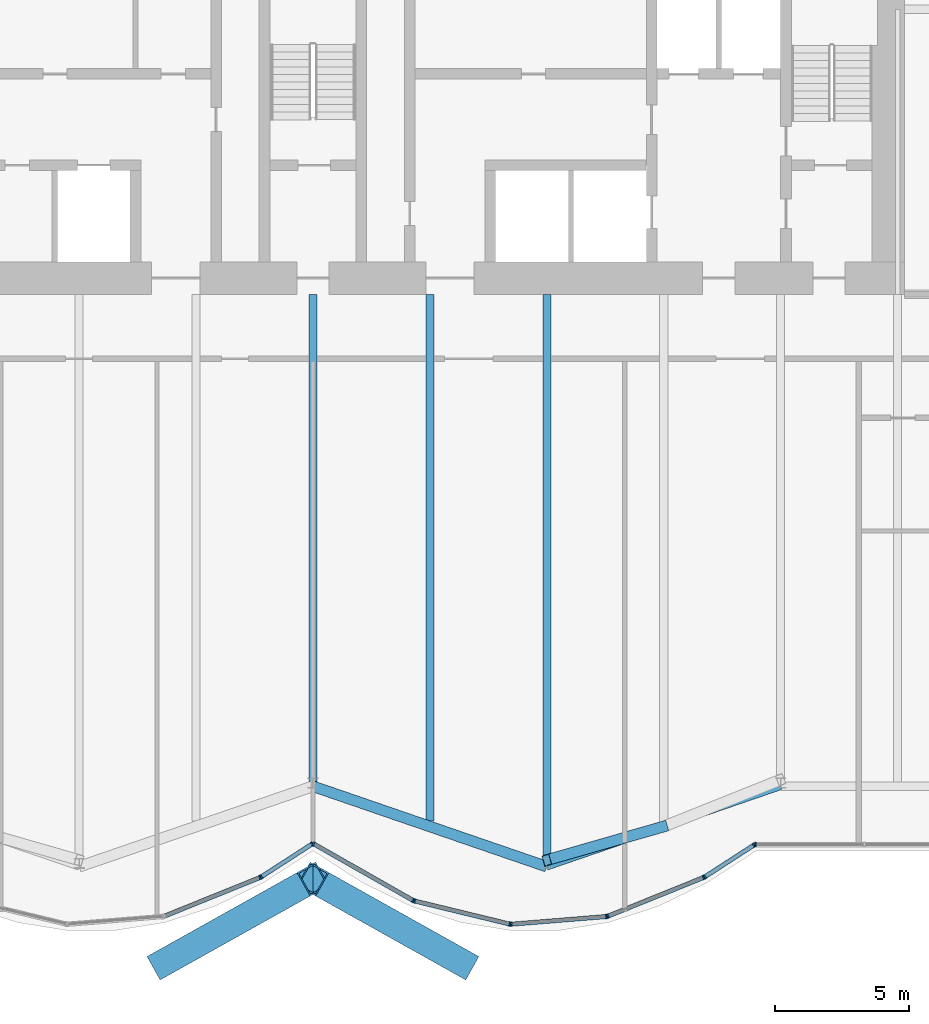
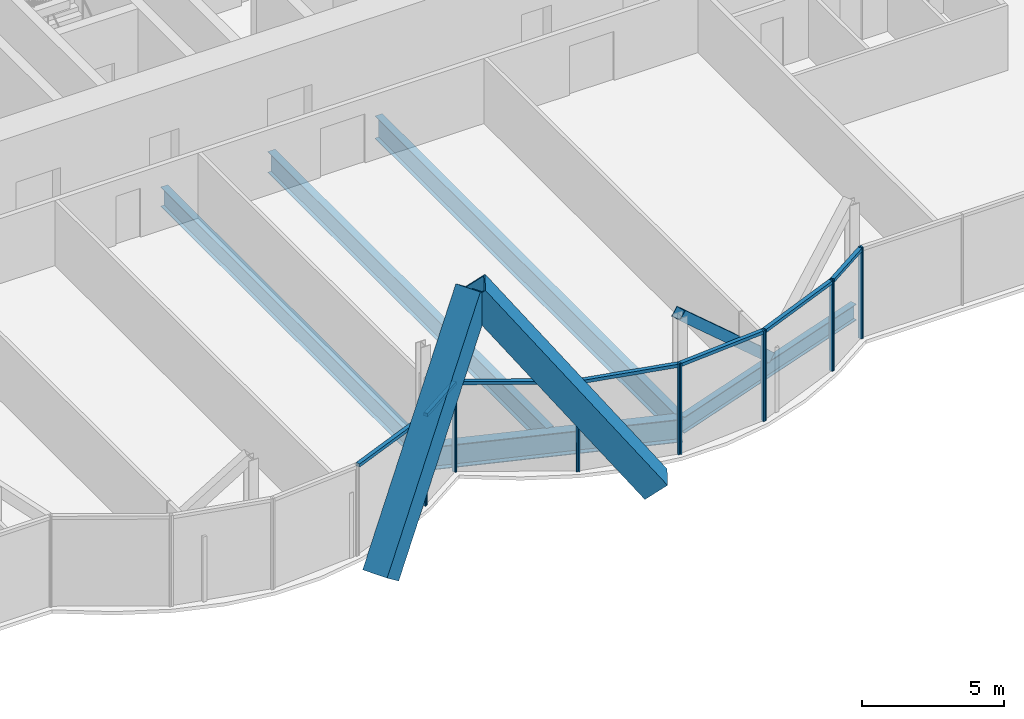
# One storey, part 8 of 21: 24 members, 5 beams, 3 elements without a shape of their own.
"""IFC4 building model written with IfcOpenShell, lengths in metres."""

from ifc_helpers import new_model, si_unit, direction, frame, origin, origin_2d, place, context, subcontext, project, spatial, rectangle, hollow_rectangle, i_section, extrude, material, material_profile, profile_set, type_object, element, aggregate, save


model = new_model("IFC4")

# Units and contexts
model_context = context("Model", 3, precision=1e-05, world=origin(), true_north=direction((0.0, 1.0)))
body_context = subcontext(model_context, "Body", "Model", "MODEL_VIEW")
ifc_project = project(units=[si_unit("LENGTHUNIT", "METRE"), si_unit("AREAUNIT", "SQUARE_METRE"), si_unit("VOLUMEUNIT", "CUBIC_METRE"), si_unit("PLANEANGLEUNIT", "RADIAN"), si_unit("MASSUNIT", "GRAM", prefix="KILO")], contexts=[model_context])

# Site, building, storey
site_placement = place(None, origin())
site = spatial("IfcSite", under=ifc_project, at=site_placement, CompositionType="ELEMENT")
building_placement = place(site_placement, origin())
building = spatial("IfcBuilding", under=site, at=building_placement, Name="Bicima Exchange Tower", CompositionType="ELEMENT")
storey_placement = place(building_placement, frame((0.0, 0.0, 181.39990234375)))
storey = spatial("IfcBuildingStorey", under=building, at=storey_placement, Name="L40", CompositionType="ELEMENT", Elevation=181.39990234375)

# Members
ifc_material_1 = material(Name="Steel ASTM A572 Gr 50", Category="steel")
ifc_material_profile_1 = material_profile(ifc_material_1, hollow_rectangle(XDim=1.0, YDim=1.0, WallThickness=0.06005859375, at=origin_2d()))
ifc_profile_set_1 = profile_set([ifc_material_profile_1], Name="Steel ASTM A572 Gr 50")
member_type_1 = type_object("IfcMemberType", Name="Exo mega brace BOX 1000x1000x60", PredefinedType="BRACE", material=ifc_profile_set_1)
for number, where, z_axis, x_axis, name in (
    (1, (-5.583251953125, -37.879638671875, 0.183349609375), (0.528115519354, 0.295406608228, 0.796133741297), (-0.488177989042, 0.872744092512, 0.0), "Exo mega brace front"),
    (2, (5.583251953125, -37.879638671875, 0.183349609375), (-0.528115519354, 0.295406608228, 0.796133741297), (-0.488177989042, -0.872744092512, 0.0), "Exo mega brace front"),
):
    element("IfcMember", number, at=place(storey_placement, frame(where, z_axis=z_axis, x_axis=x_axis)), inside=storey, type_object=member_type_1, Name=name, PredefinedType="BRACE", context=body_context, shape_type="SweptSolid", body=[
        extrude(hollow_rectangle(XDim=1.0, YDim=1.0, WallThickness=0.06005859375, at=origin_2d()), origin(), (0.0, 0.0, 1.0), 10.572021484375),
    ])

# Beams
ifc_material_2 = material(Name="Steel ASTM A992 Gr 50", Category="steel")
ifc_material_profile_2 = material_profile(ifc_material_2, i_section(OverallWidth=0.2919921875, OverallDepth=0.835693359375, WebThickness=0.013916015625, FlangeThickness=0.018798828125, at=origin_2d()))
ifc_profile_set_2 = profile_set([ifc_material_profile_2], Name="Steel ASTM A992 Gr 50")
beam_type_1 = type_object("IfcBeamType", Name="Floor beam W33x118", PredefinedType="JOIST", material=ifc_profile_set_2)
beam_1_placement = place(storey_placement, frame((0.0, -13.0, -0.567626953125), z_axis=(0.0, -1.0, 0.0), x_axis=(1.0, 0.0, 0.0)))
element("IfcBeam", 3, at=beam_1_placement, inside=storey, type_object=beam_type_1, Name="Floor beam", PredefinedType="JOIST", context=body_context, shape_type="SweptSolid", body=[
    extrude(i_section(OverallWidth=0.2919921875, OverallDepth=0.835693359375, WebThickness=0.013916015625, FlangeThickness=0.018798828125, at=origin_2d()), origin(), (0.0, 0.0, 1.0), 18.303955078125),
])
ifc_material_profile_3 = material_profile(ifc_material_2, i_section(OverallWidth=0.3046875, OverallDepth=0.904296875, WebThickness=0.01513671875, FlangeThickness=0.02001953125, at=origin_2d()))
ifc_profile_set_3 = profile_set([ifc_material_profile_3], Name="Steel ASTM A992 Gr 50")
beam_type_2 = type_object("IfcBeamType", Name="Floor beam W36x135", PredefinedType="JOIST", material=ifc_profile_set_3)
beam_2_placement = place(storey_placement, frame((4.35009765625, -13.0, -0.60205078125), z_axis=(0.0, -1.0, 0.0), x_axis=(1.0, 0.0, 0.0)))
element("IfcBeam", 4, at=beam_2_placement, inside=storey, type_object=beam_type_2, Name="Floor beam", PredefinedType="JOIST", context=body_context, shape_type="SweptSolid", body=[
    extrude(i_section(OverallWidth=0.3046875, OverallDepth=0.904296875, WebThickness=0.01513671875, FlangeThickness=0.02001953125, at=origin_2d()), origin(), (0.0, 0.0, 1.0), 19.58740234375),
])
ifc_material_profile_4 = material_profile(ifc_material_2, i_section(OverallWidth=0.2998046875, OverallDepth=0.97021484375, WebThickness=0.01611328125, FlangeThickness=0.02099609375, at=origin_2d()))
ifc_profile_set_4 = profile_set([ifc_material_profile_4], Name="Steel ASTM A992 Gr 50")
beam_type_3 = type_object("IfcBeamType", Name="Floor beam W40x149", PredefinedType="JOIST", material=ifc_profile_set_4)
beam_3_placement = place(storey_placement, frame((8.699951171875, -13.0, -0.635009765625), z_axis=(0.0, -1.0, 0.0), x_axis=(1.0, 0.0, 0.0)))
element("IfcBeam", 5, at=beam_3_placement, inside=storey, type_object=beam_type_3, Name="Floor beam", PredefinedType="JOIST", context=body_context, shape_type="SweptSolid", body=[
    extrude(i_section(OverallWidth=0.2998046875, OverallDepth=0.97021484375, WebThickness=0.01611328125, FlangeThickness=0.02099609375, at=origin_2d()), origin(), (0.0, 0.0, 1.0), 21.0830078125),
])
ifc_material_profile_5 = material_profile(ifc_material_2, i_section(OverallWidth=0.256591796875, OverallDepth=0.693359375, WebThickness=0.014404296875, FlangeThickness=0.023681640625, at=origin_2d()))
ifc_profile_set_5 = profile_set([ifc_material_profile_5], Name="Steel ASTM A992 Gr 50")
beam_type_4 = type_object("IfcBeamType", Name="Front girder W27x114", PredefinedType="BEAM", material=ifc_profile_set_5)
beam_4_placement = place(storey_placement, frame((8.699951171875, -34.295166015625, -0.49658203125), z_axis=(0.945666456746, 0.325138359143, 0.0), x_axis=(-0.325138359143, 0.945666456746, 0.0)))
element("IfcBeam", 6, at=beam_4_placement, inside=storey, type_object=beam_type_4, Name="Front girder", PredefinedType="BEAM", context=body_context, shape_type="SweptSolid", body=[
    extrude(i_section(OverallWidth=0.256591796875, OverallDepth=0.693359375, WebThickness=0.014404296875, FlangeThickness=0.023681640625, at=origin_2d()), origin(), (0.0, 0.0, 1.0), 9.19970703125),
])
ifc_material_profile_6 = material_profile(ifc_material_2, i_section(OverallWidth=0.4013671875, OverallDepth=0.990478515625, WebThickness=0.0166015625, FlangeThickness=0.031005859375, at=origin_2d()))
ifc_profile_set_6 = profile_set([ifc_material_profile_6], Name="Steel ASTM A992 Gr 50")
beam_type_5 = type_object("IfcBeamType", Name="Front girder W40x215", PredefinedType="BEAM", material=ifc_profile_set_6)
beam_5_placement = place(storey_placement, frame((0.0, -31.303955078125, -0.645263671875), z_axis=(0.945666456746, -0.325138359143, 0.0), x_axis=(0.325138359143, 0.945666456746, 0.0)))
element("IfcBeam", 7, at=beam_5_placement, inside=storey, type_object=beam_type_5, Name="Front girder", PredefinedType="BEAM", context=body_context, shape_type="SweptSolid", body=[
    extrude(i_section(OverallWidth=0.4013671875, OverallDepth=0.990478515625, WebThickness=0.0166015625, FlangeThickness=0.031005859375, at=origin_2d()), origin(), (0.0, 0.0, 1.0), 9.19970703125),
])

# Curtain wall, members
ifc_material_3 = material(Name="Anodised bronze aluminium", Category="aluminium")
curtain_wall_type = type_object("IfcCurtainWallType", Name="Front glass wall", PredefinedType="NOTDEFINED", material=ifc_material_3)
curtain_wall_1_placement = place(storey_placement, origin())
curtain_wall_1 = element("IfcCurtainWall", 8, at=curtain_wall_1_placement, inside=storey, type_object=curtain_wall_type, Name="Front glass wall L40 run 6", PredefinedType="NOTDEFINED")
ifc_material_profile_7 = material_profile(ifc_material_3, rectangle(XDim=0.159912109375, YDim=0.06005859375, at=origin_2d()))
ifc_profile_set_7 = profile_set([ifc_material_profile_7], Name="Anodised bronze aluminium")
member_type_2 = type_object("IfcMemberType", Name="Front glass wall mullion 60 x 160", PredefinedType="MULLION", material=ifc_profile_set_7)
member_1_placement = place(storey_placement, frame((-1.97412109375, -34.69970703125, 0.0), z_axis=(0.0, 0.0, 1.0), x_axis=(-0.374705304, 0.92714396679, 0.0)))
member_1 = element("IfcMember", 9, at=member_1_placement, type_object=member_type_2, Name="Front glass wall mullion 2", PredefinedType="MULLION", context=body_context, shape_type="SweptSolid", body=[
    extrude(rectangle(XDim=0.159912109375, YDim=0.06005859375, at=origin_2d()), origin(), (0.0, 0.0, 1.0), 3.900146484375),
])
member_2_placement = place(storey_placement, frame((-1.921142578125, -34.672119140625, 0.0), z_axis=(0.0, 0.0, 1.0), x_axis=(-0.542897457326, 0.839798994301, 0.0)))
member_2 = element("IfcMember", 10, at=member_2_placement, type_object=member_type_2, Name="Front glass wall mullion 1", PredefinedType="MULLION", context=body_context, shape_type="SweptSolid", body=[
    extrude(rectangle(XDim=0.159912109375, YDim=0.06005859375, at=origin_2d()), origin(), (0.0, 0.0, 1.0), 3.900146484375),
])
member_3_placement = place(storey_placement, frame((-0.025146484375, -33.4462890625, 0.0), z_axis=(0.0, 0.0, 1.0), x_axis=(-0.542897457326, 0.839798994301, 0.0)))
member_3 = element("IfcMember", 11, at=member_3_placement, type_object=member_type_2, Name="Front glass wall mullion 2", PredefinedType="MULLION", context=body_context, shape_type="SweptSolid", body=[
    extrude(rectangle(XDim=0.159912109375, YDim=0.06005859375, at=origin_2d()), origin(), (0.0, 0.0, 1.0), 3.900146484375),
])

curtain_wall_2_placement = place(storey_placement, origin())
curtain_wall_2 = element("IfcCurtainWall", 12, at=curtain_wall_2_placement, inside=storey, type_object=curtain_wall_type, Name="Front glass wall L40 run 11", PredefinedType="NOTDEFINED")
member_4_placement = place(storey_placement, frame((0.026123046875, -33.445068359375, 0.0), z_axis=(0.0, 0.0, 1.0), x_axis=(0.494330311331, 0.869274147378, 0.0)))
member_4 = element("IfcMember", 13, at=member_4_placement, type_object=member_type_2, Name="Front glass wall mullion 1", PredefinedType="MULLION", context=body_context, shape_type="SweptSolid", body=[
    extrude(rectangle(XDim=0.159912109375, YDim=0.06005859375, at=origin_2d()), origin(), (0.0, 0.0, 1.0), 3.900146484375),
])
member_5_placement = place(storey_placement, frame((3.7265625, -35.54931640625, 0.0), z_axis=(0.0, 0.0, 1.0), x_axis=(0.494330311331, 0.869274147378, 0.0)))
member_5 = element("IfcMember", 14, at=member_5_placement, type_object=member_type_2, Name="Front glass wall mullion 2", PredefinedType="MULLION", context=body_context, shape_type="SweptSolid", body=[
    extrude(rectangle(XDim=0.159912109375, YDim=0.06005859375, at=origin_2d()), origin(), (0.0, 0.0, 1.0), 3.900146484375),
])
member_6_placement = place(storey_placement, frame((3.781982421875, -35.5712890625, 0.0), z_axis=(0.0, 0.0, 1.0), x_axis=(0.235681529503, 0.971830343553, 0.0)))
member_6 = element("IfcMember", 15, at=member_6_placement, type_object=member_type_2, Name="Front glass wall mullion 1", PredefinedType="MULLION", context=body_context, shape_type="SweptSolid", body=[
    extrude(rectangle(XDim=0.159912109375, YDim=0.06005859375, at=origin_2d()), origin(), (0.0, 0.0, 1.0), 3.900146484375),
])
member_7_placement = place(storey_placement, frame((7.322509765625, -36.429931640625, 0.0), z_axis=(0.0, 0.0, 1.0), x_axis=(0.235681529503, 0.971830343553, 0.0)))
member_7 = element("IfcMember", 16, at=member_7_placement, type_object=member_type_2, Name="Front glass wall mullion 2", PredefinedType="MULLION", context=body_context, shape_type="SweptSolid", body=[
    extrude(rectangle(XDim=0.159912109375, YDim=0.06005859375, at=origin_2d()), origin(), (0.0, 0.0, 1.0), 3.900146484375),
])
member_8_placement = place(storey_placement, frame((7.381591796875, -36.4345703125, 0.0), z_axis=(0.0, 0.0, 1.0), x_axis=(-0.080588612633, 0.99674744821, 0.0)))
member_8 = element("IfcMember", 17, at=member_8_placement, type_object=member_type_2, Name="Front glass wall mullion 1", PredefinedType="MULLION", context=body_context, shape_type="SweptSolid", body=[
    extrude(rectangle(XDim=0.159912109375, YDim=0.06005859375, at=origin_2d()), origin(), (0.0, 0.0, 1.0), 3.900146484375),
])
member_9_placement = place(storey_placement, frame((10.916015625, -36.148681640625, 0.0), z_axis=(0.0, 0.0, 1.0), x_axis=(-0.080588612633, 0.99674744821, 0.0)))
member_9 = element("IfcMember", 18, at=member_9_placement, type_object=member_type_2, Name="Front glass wall mullion 2", PredefinedType="MULLION", context=body_context, shape_type="SweptSolid", body=[
    extrude(rectangle(XDim=0.159912109375, YDim=0.06005859375, at=origin_2d()), origin(), (0.0, 0.0, 1.0), 3.900146484375),
])
member_10_placement = place(storey_placement, frame((10.973876953125, -36.13525390625, 0.0), z_axis=(0.0, 0.0, 1.0), x_axis=(-0.374705304, 0.92714396679, 0.0)))
member_10 = element("IfcMember", 19, at=member_10_placement, type_object=member_type_2, Name="Front glass wall mullion 1", PredefinedType="MULLION", context=body_context, shape_type="SweptSolid", body=[
    extrude(rectangle(XDim=0.159912109375, YDim=0.06005859375, at=origin_2d()), origin(), (0.0, 0.0, 1.0), 3.900146484375),
])
member_11_placement = place(storey_placement, frame((14.52587890625, -34.69970703125, 0.0), z_axis=(0.0, 0.0, 1.0), x_axis=(-0.374705304, 0.92714396679, 0.0)))
member_11 = element("IfcMember", 20, at=member_11_placement, type_object=member_type_2, Name="Front glass wall mullion 2", PredefinedType="MULLION", context=body_context, shape_type="SweptSolid", body=[
    extrude(rectangle(XDim=0.159912109375, YDim=0.06005859375, at=origin_2d()), origin(), (0.0, 0.0, 1.0), 3.900146484375),
])
member_12_placement = place(storey_placement, frame((14.578857421875, -34.672119140625, 0.0), z_axis=(0.0, 0.0, 1.0), x_axis=(-0.542909183079, 0.839791413941, 0.0)))
member_12 = element("IfcMember", 21, at=member_12_placement, type_object=member_type_2, Name="Front glass wall mullion 1", PredefinedType="MULLION", context=body_context, shape_type="SweptSolid", body=[
    extrude(rectangle(XDim=0.159912109375, YDim=0.06005859375, at=origin_2d()), origin(), (0.0, 0.0, 1.0), 3.900146484375),
])
member_13_placement = place(storey_placement, frame((16.406982421875, -33.490234375, 0.0), z_axis=(0.0, 0.0, 1.0), x_axis=(-0.542909183079, 0.839791413941, 0.0)))
member_13 = element("IfcMember", 22, at=member_13_placement, type_object=member_type_2, Name="Front glass wall mullion 2", PredefinedType="MULLION", context=body_context, shape_type="SweptSolid", body=[
    extrude(rectangle(XDim=0.159912109375, YDim=0.06005859375, at=origin_2d()), origin(), (0.0, 0.0, 1.0), 3.900146484375),
])

# Curtain wall, member
curtain_wall_3_placement = place(storey_placement, origin())
curtain_wall_3 = element("IfcCurtainWall", 23, at=curtain_wall_3_placement, inside=storey, type_object=curtain_wall_type, Name="Front glass wall L40 run 16", PredefinedType="NOTDEFINED")
member_14_placement = place(storey_placement, frame((16.462158203125, -33.47412109375, 0.0), z_axis=(0.0, 0.0, 1.0), x_axis=(0.0, 1.0, 0.0)))
member_14 = element("IfcMember", 24, at=member_14_placement, type_object=member_type_2, Name="Front glass wall mullion 1", PredefinedType="MULLION", context=body_context, shape_type="SweptSolid", body=[
    extrude(rectangle(XDim=0.159912109375, YDim=0.06005859375, at=origin_2d()), origin(), (0.0, 0.0, 1.0), 3.900146484375),
])
aggregate(curtain_wall_3, [member_14])

# Member
ifc_material_profile_8 = material_profile(ifc_material_3, rectangle(XDim=0.159912109375, YDim=0.139892578125, at=origin_2d()))
ifc_profile_set_8 = profile_set([ifc_material_profile_8], Name="Anodised bronze aluminium")
member_type_3 = type_object("IfcMemberType", Name="Front glass wall transom 140 x 160", PredefinedType="USERDEFINED", material=ifc_profile_set_8)
member_15_placement = place(storey_placement, frame((-5.498291015625, -36.123779296875, 3.830078125), z_axis=(0.927140215882, 0.374714584842, 0.0), x_axis=(-0.374714584842, 0.927140215882, 0.0)))
member_15 = element("IfcMember", 25, at=member_15_placement, type_object=member_type_3, Name="Front glass wall transom 1.1", ObjectType="TRANSOM", PredefinedType="USERDEFINED", context=body_context, shape_type="SweptSolid", body=[
    extrude(rectangle(XDim=0.159912109375, YDim=0.139892578125, at=origin_2d()), origin(), (0.0, 0.0, 1.0), 3.77099609375),
])

member_16_placement = place(storey_placement, frame((-1.89599609375, -34.65576171875, 3.830078125), z_axis=(0.839811483481, 0.542878137536, 0.0), x_axis=(-0.542878137536, 0.839811483481, 0.0)))
member_16 = element("IfcMember", 26, at=member_16_placement, type_object=member_type_3, Name="Front glass wall transom 1.1", ObjectType="TRANSOM", PredefinedType="USERDEFINED", context=body_context, shape_type="SweptSolid", body=[
    extrude(rectangle(XDim=0.159912109375, YDim=0.139892578125, at=origin_2d()), origin(), (0.0, 0.0, 1.0), 2.19775390625),
])

aggregate(curtain_wall_1, [member_1, member_15, member_2, member_3, member_16])

member_17_placement = place(storey_placement, frame((0.05224609375, -33.459716796875, 3.830078125), z_axis=(0.869265121745, -0.494346182466, 0.0), x_axis=(0.494346182466, 0.869265121745, 0.0)))
member_17 = element("IfcMember", 27, at=member_17_placement, type_object=member_type_3, Name="Front glass wall transom 1.1", ObjectType="TRANSOM", PredefinedType="USERDEFINED", context=body_context, shape_type="SweptSolid", body=[
    extrude(rectangle(XDim=0.159912109375, YDim=0.139892578125, at=origin_2d()), origin(), (0.0, 0.0, 1.0), 4.19677734375),
])

member_18_placement = place(storey_placement, frame((3.81103515625, -35.578369140625, 3.830078125), z_axis=(0.971833557815, -0.235668275132, 0.0), x_axis=(0.235668275132, 0.971833557815, 0.0)))
member_18 = element("IfcMember", 28, at=member_18_placement, type_object=member_type_3, Name="Front glass wall transom 1.1", ObjectType="TRANSOM", PredefinedType="USERDEFINED", context=body_context, shape_type="SweptSolid", body=[
    extrude(rectangle(XDim=0.159912109375, YDim=0.139892578125, at=origin_2d()), origin(), (0.0, 0.0, 1.0), 3.583251953125),
])

member_19_placement = place(storey_placement, frame((7.41162109375, -36.43212890625, 3.830078125), z_axis=(0.9967456465, 0.080610893699, 0.0), x_axis=(-0.080610893699, 0.9967456465, 0.0)))
member_19 = element("IfcMember", 29, at=member_19_placement, type_object=member_type_3, Name="Front glass wall transom 1.1", ObjectType="TRANSOM", PredefinedType="USERDEFINED", context=body_context, shape_type="SweptSolid", body=[
    extrude(rectangle(XDim=0.159912109375, YDim=0.139892578125, at=origin_2d()), origin(), (0.0, 0.0, 1.0), 3.48583984375),
])

member_20_placement = place(storey_placement, frame((11.001708984375, -36.123779296875, 3.830078125), z_axis=(0.927140215882, 0.374714584842, 0.0), x_axis=(-0.374714584842, 0.927140215882, 0.0)))
member_20 = element("IfcMember", 30, at=member_20_placement, type_object=member_type_3, Name="Front glass wall transom 1.1", ObjectType="TRANSOM", PredefinedType="USERDEFINED", context=body_context, shape_type="SweptSolid", body=[
    extrude(rectangle(XDim=0.159912109375, YDim=0.139892578125, at=origin_2d()), origin(), (0.0, 0.0, 1.0), 3.77099609375),
])

member_21_placement = place(storey_placement, frame((14.60400390625, -34.65576171875, 3.830078125), z_axis=(0.839792890287, 0.542906899407, 0.0), x_axis=(-0.542906899407, 0.839792890287, 0.0)))
member_21 = element("IfcMember", 31, at=member_21_placement, type_object=member_type_3, Name="Front glass wall transom 1.1", ObjectType="TRANSOM", PredefinedType="USERDEFINED", context=body_context, shape_type="SweptSolid", body=[
    extrude(rectangle(XDim=0.159912109375, YDim=0.139892578125, at=origin_2d()), origin(), (0.0, 0.0, 1.0), 2.11669921875),
])

aggregate(curtain_wall_2, [member_4, member_5, member_17, member_6, member_7, member_18, member_8, member_9, member_19, member_10, member_11, member_20, member_12, member_13, member_21])

ifc_material_profile_9 = material_profile(ifc_material_1, hollow_rectangle(XDim=0.406494140625, YDim=0.406494140625, WallThickness=0.017822265625, at=origin_2d()))
ifc_profile_set_9 = profile_set([ifc_material_profile_9], Name="Steel ASTM A572 Gr 50")
member_type_4 = type_object("IfcMemberType", Name="Mega brace HSS16x16x3/4", PredefinedType="BRACE", material=ifc_profile_set_9)
member_22_placement = place(storey_placement, frame((13.050048828125, -32.799560546875, 0.0), z_axis=(-0.712266893938, -0.204909647453, 0.671332933931), x_axis=(0.276473064615, -0.961021667052, 0.0)))
element("IfcMember", 32, at=member_22_placement, inside=storey, type_object=member_type_4, Name="Mega brace front", PredefinedType="BRACE", context=body_context, shape_type="SweptSolid", body=[
    extrude(hollow_rectangle(XDim=0.406494140625, YDim=0.406494140625, WallThickness=0.017822265625, at=origin_2d()), origin(), (0.0, 0.0, 1.0), 6.107421875),
])

save(model, "model.ifc")
